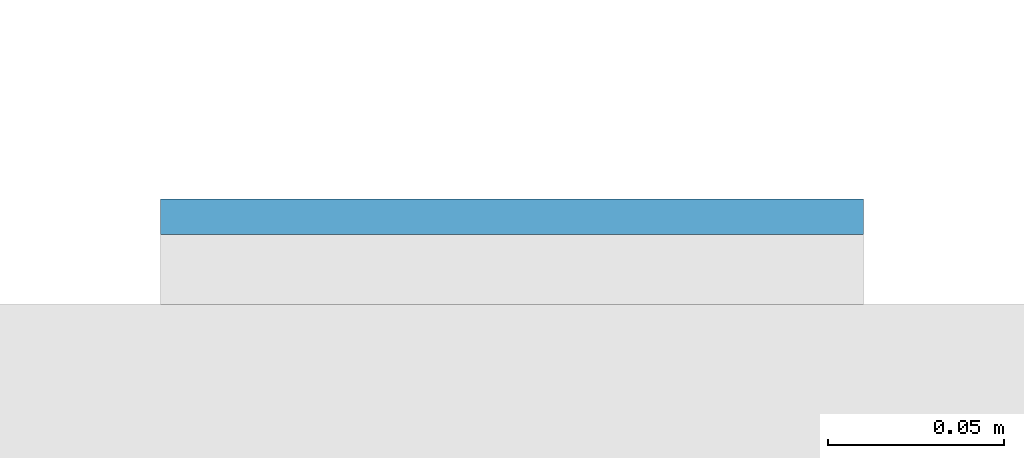
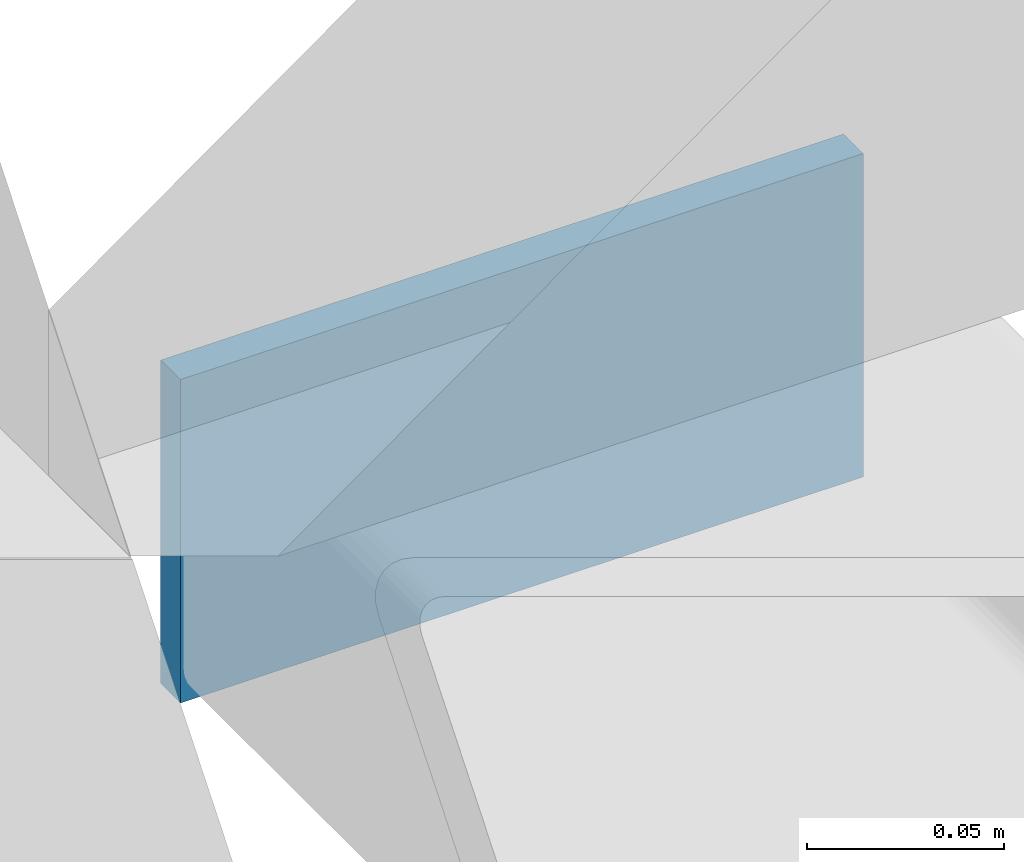
# One storey, part 11 of 20: 1 plate.
"""IFC4 building model written with IfcOpenShell, lengths in metres."""

from ifc_helpers import new_model, si_unit, direction, frame, origin, origin_2d, place, context, subcontext, project, spatial, rectangle, extrude, material, layer, layer_set, type_object, element, save


model = new_model("IFC4")

# Units and contexts
model_context = context("Model", 3, precision=1e-05, world=origin(), true_north=direction((0.0, 1.0)))
body_context = subcontext(model_context, "Body", "Model", "MODEL_VIEW")
ifc_project = project(units=[si_unit("LENGTHUNIT", "METRE"), si_unit("AREAUNIT", "SQUARE_METRE"), si_unit("VOLUMEUNIT", "CUBIC_METRE"), si_unit("PLANEANGLEUNIT", "RADIAN"), si_unit("MASSUNIT", "GRAM", prefix="KILO")], contexts=[model_context])

# Site, building, storey
site_placement = place(None, origin())
site = spatial("IfcSite", under=ifc_project, at=site_placement, CompositionType="ELEMENT")
building_placement = place(site_placement, origin())
building = spatial("IfcBuilding", under=site, at=building_placement, Name="Cleftline Residences", CompositionType="ELEMENT")
storey_placement = place(building_placement, frame((0.0, 0.0, 44.0)))
storey = spatial("IfcBuildingStorey", under=building, at=storey_placement, Name="L10", CompositionType="ELEMENT", Elevation=44.0)

# Plate
ifc_material = material(Name="Steel S355, hot-dip galvanised", Category="steel")
ifc_layer = layer(ifc_material, 0.010009765625)
ifc_layer_set = layer_set([ifc_layer], Name="BAGUETTE CARRIER END PLATE 200X100X10")
plate_type = type_object("IfcPlateType", Name="BAGUETTE CARRIER END PLATE 200X100X10", PredefinedType="USERDEFINED", material=ifc_layer_set)
plate_placement = place(storey_placement, frame((66.85009765625, 44.304931640625, -0.10009765625), z_axis=(0.0, 0.0, 1.0), x_axis=(1.0, 0.0, 0.0)))
element("IfcPlate", 1, at=plate_placement, inside=storey, type_object=plate_type, Name="Baguette carrier end plate", ObjectType="BAGUETTE CARRIER END PLATE", PredefinedType="USERDEFINED", context=body_context, shape_type="SweptSolid", body=[
    extrude(rectangle(XDim=0.199951171875, YDim=0.010009765625, at=origin_2d()), origin(), (0.0, 0.0, 1.0), 0.10009765625),
])

save(model, "model.ifc")
